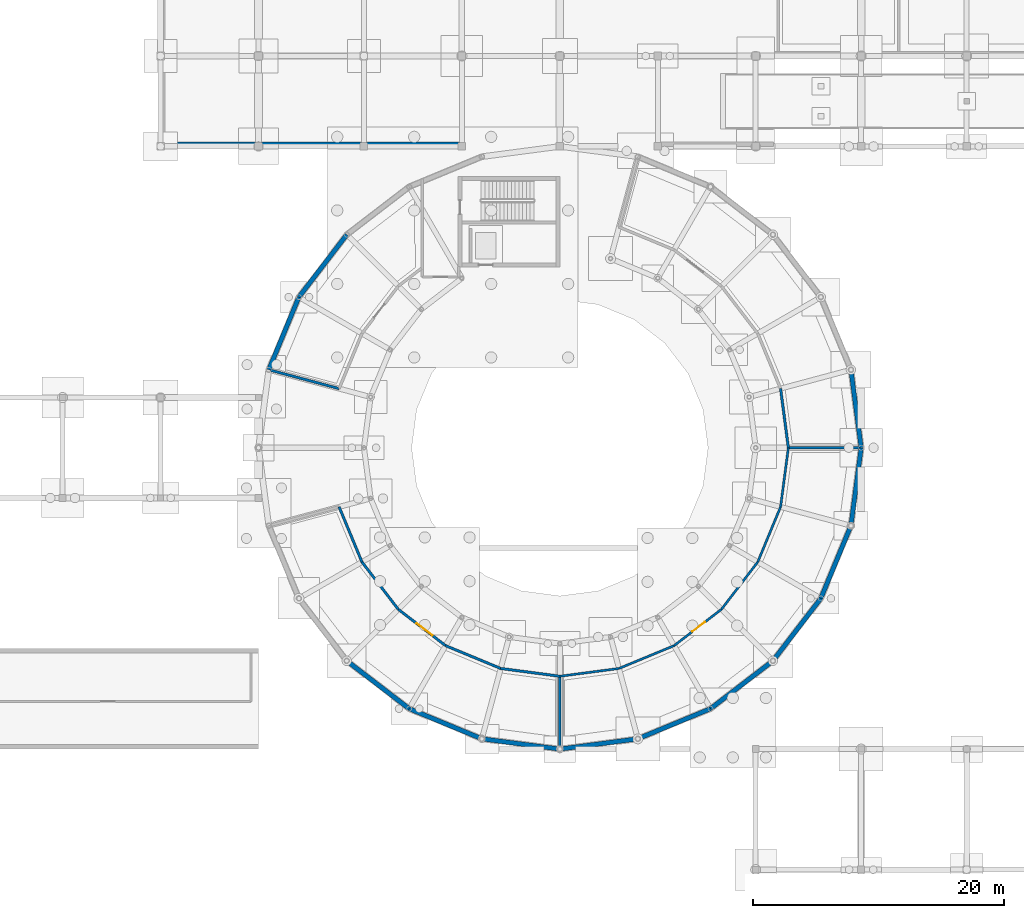
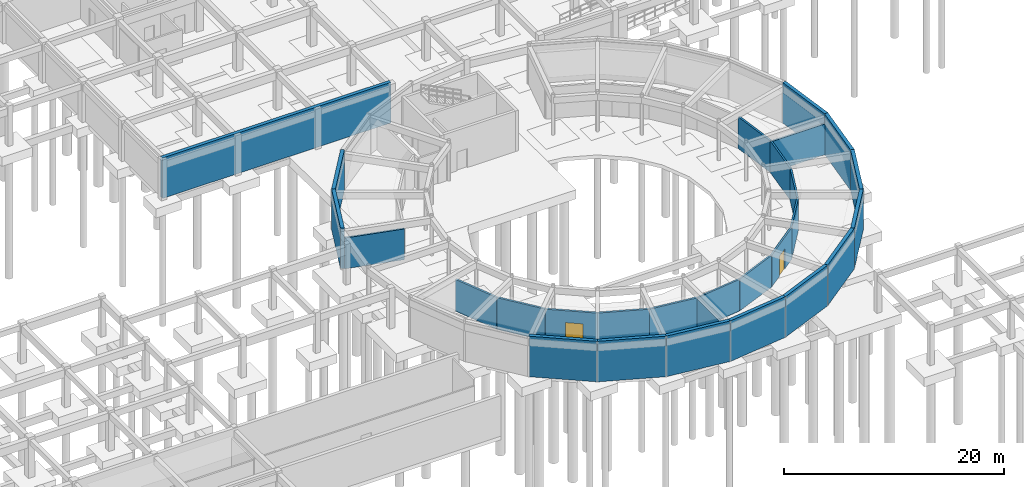
# One storey, part 30 of 43: 28 walls, 2 doors, 2 openings.
"""IFC4 building model written with IfcOpenShell, lengths in metres."""

from ifc_helpers import new_model, si_unit, derived_unit, direction, frame, frame_2d, origin, place, context, subcontext, project, spatial, rectangle, extrude, material, layer, layer_set, type_object, element, fill, save


model = new_model("IFC4")

# Units and contexts
model_context = context("Model", 3, precision=1e-05, world=origin(), true_north=direction((0.0, 1.0)))
body_context = subcontext(model_context, "Body", "Model", "MODEL_VIEW")
ifc_project = project(units=[si_unit("LENGTHUNIT", "METRE"), si_unit("AREAUNIT", "SQUARE_METRE"), si_unit("VOLUMEUNIT", "CUBIC_METRE"), si_unit("PLANEANGLEUNIT", "RADIAN"), si_unit("MASSUNIT", "GRAM", prefix="KILO"), derived_unit("THERMALTRANSMITTANCEUNIT", [(si_unit("POWERUNIT", "WATT"), 1), (si_unit("AREAUNIT", "SQUARE_METRE"), -1), (si_unit("THERMODYNAMICTEMPERATUREUNIT", "KELVIN"), -1)])], contexts=[model_context])

# Site, building, storey
site_placement = place(None, origin())
site = spatial("IfcSite", under=ifc_project, at=site_placement, CompositionType="ELEMENT")
building_placement = place(site_placement, origin())
building = spatial("IfcBuilding", under=site, at=building_placement, Name="Yasenodar Specialist Clinic", CompositionType="ELEMENT")
storey_placement = place(building_placement, frame((0.0, 0.0, -4.5)))
storey = spatial("IfcBuildingStorey", under=building, at=storey_placement, Name="B1", CompositionType="ELEMENT", Elevation=-4.5)

# Wall, opening, door
ifc_material_1 = material(Name="Hygienic Double-Stud Clinical Partition")
ifc_layer_1 = layer(ifc_material_1, 0.179931640625)
ifc_layer_set_1 = layer_set([ifc_layer_1], Name="Hygienic Double-Stud Clinical Partition")
wall_type_1 = type_object("IfcWallType", Name="IW-PROC-180", PredefinedType="PARTITIONING", material=ifc_layer_set_1)
wall_1_placement = place(storey_placement, frame((90.10009765625, 43.038330078125, 0.0), z_axis=(0.0, 0.0, 1.0), x_axis=(0.793347417989, 0.608769147025, 0.0)))
wall_1 = element("IfcWall", 1, at=wall_1_placement, inside=storey, type_object=wall_type_1, Name="B1 Bulk Pharmacy Cold Storage Partition", PredefinedType="PARTITIONING", context=body_context, shape_type="SweptSolid", body=[
    extrude(rectangle(XDim=4.751220703125, YDim=0.179931640625, at=frame_2d((2.37548828125, 0.0))), origin(), (0.0, 0.0, 1.0), 3.512939453125),
])
opening_1_placement = place(wall_1_placement, frame((1.82568359375, 0.0, 0.0)))
opening_1 = element("IfcOpeningElement", 2, at=opening_1_placement, cuts=wall_1, Name="Opening D-08", PredefinedType="OPENING", context=body_context, shape_type="SweptSolid", body=[
    extrude(rectangle(XDim=1.280029296875, YDim=2.219970703125, at=frame_2d((0.64013671875, 1.10986328125))), frame((0.0, 0.10009765625, 0.0), z_axis=(0.0, -1.0, 0.0), x_axis=(1.0, 0.0, 0.0)), (0.0, 0.0, 1.0), 0.199951171875),
])
ifc_material_2 = material(Name="Powder-Coated Steel and Acoustic Laminate Leaf", Category="steel")
door_type_1 = type_object("IfcDoorType", Name="DR-CLN-128", OperationType="NOTDEFINED", PredefinedType="DOOR", material=ifc_material_2)
door_1_placement = place(opening_1_placement, origin())
door_1 = element("IfcDoor", 3, at=door_1_placement, inside=storey, type_object=door_type_1, Name="B1 Bulk Pharmacy Cold Storage Door", OperationType="SINGLE_SWING_LEFT", OverallHeight=2.219970703125, OverallWidth=1.280029296875, PredefinedType="DOOR", context=body_context, shape_type="SweptSolid", body=[
    extrude(rectangle(XDim=1.280029296875, YDim=2.219970703125, at=frame_2d((0.64013671875, 1.10986328125))), frame((0.0, 0.02490234375, 0.0), z_axis=(0.0, -1.0, 0.0), x_axis=(1.0, 0.0, 0.0)), (0.0, 0.0, 1.0), 0.050048828125),
])
fill(opening_1, door_1)

# Walls
for number, where, z_axis, x_axis, name in (
    (4, (93.869384765625, 45.9306640625, 0.0), (0.0, 0.0, 1.0), (0.608769147025, 0.793347417989, 0.0), "B1 Bulk Pharmacy Cold Storage Partition"),
    (5, (85.71044921875, 41.22021484375, 0.0), (0.0, 0.0, 1.0), (0.923889703059, 0.382658877568, 0.0), "B1 Bulk Pharmacy Cold Storage Partition"),
    (6, (96.76171875, 49.699951171875, 0.0), (0.0, 0.0, 1.0), (0.382658877568, 0.923889703059, 0.0), "B1 Bulk Pharmacy Cold Storage Partition"),
):
    element("IfcWall", number, at=place(storey_placement, frame(where, z_axis=z_axis, x_axis=x_axis)), inside=storey, type_object=wall_type_1, Name=name, PredefinedType="PARTITIONING", context=body_context, shape_type="SweptSolid", body=[
        extrude(rectangle(XDim=4.751220703125, YDim=0.179931640625, at=frame_2d((2.37548828125, 0.0))), origin(), (0.0, 0.0, 1.0), 3.512939453125),
    ])
for number, where, z_axis, x_axis, name in (
    (7, (81.02001953125, 40.6025390625, 0.0), (0.0, 0.0, 1.0), (0.991440237985, 0.130561305543, 0.0), "B1 Bulk Pharmacy Cold Storage Partition"),
    (8, (98.579833984375, 54.089599609375, 0.0), (0.0, 0.0, 1.0), (0.130561305543, 0.991440237985, 0.0), "B1 Bulk Pharmacy Cold Storage Partition"),
):
    element("IfcWall", number, at=place(storey_placement, frame(where, z_axis=z_axis, x_axis=x_axis)), inside=storey, type_object=wall_type_1, Name=name, PredefinedType="PARTITIONING", context=body_context, shape_type="SweptSolid", body=[
        extrude(rectangle(XDim=4.73095703125, YDim=0.179931640625, at=frame_2d((2.365478515625, 0.0))), origin(), (0.0, 0.0, 1.0), 3.512939453125),
    ])
ifc_material_3 = material(Name="Aerated Concrete Blockwork Fire Shaft Wall", Category="masonry")
ifc_layer_2 = layer(ifc_material_3, 0.205078125)
ifc_layer_set_2 = layer_set([ifc_layer_2], Name="Aerated Concrete Blockwork Fire Shaft Wall")
wall_type_2 = type_object("IfcWallType", Name="IW-SHAFT-205", PredefinedType="PARTITIONING", material=ifc_layer_set_2)
wall_2_placement = place(storey_placement, frame((99.199951171875, 58.800048828125, 0.0), z_axis=(0.0, 0.0, 1.0), x_axis=(-0.130520975042, 0.991445548214, 0.0)))
element("IfcWall", 9, at=wall_2_placement, inside=storey, type_object=wall_type_2, Name="B1 Central Sterile Supply Decontamination Partition", PredefinedType="PARTITIONING", context=body_context, shape_type="SweptSolid", body=[
    extrude(rectangle(XDim=4.7509765625, YDim=0.205078125, at=frame_2d((2.37548828125, 0.0))), origin(), (0.0, 0.0, 1.0), 3.512939453125),
])
for number, where, z_axis, x_axis, name in (
    (10, (104.83837890625, 58.800048828125, 0.0), (0.0, 0.0, 1.0), (-1.0, 0.0, 0.0), "B1 Central Sterile Supply Decontamination Partition"),
    (11, (63.420166015625, 63.510498046875, 0.0), (0.0, 0.0, 1.0), (-0.965919445688, 0.258842856658, 0.0), "B1 Autoclave Sterilization Suite Partition"),
):
    element("IfcWall", number, at=place(storey_placement, frame(where, z_axis=z_axis, x_axis=x_axis)), inside=storey, type_object=wall_type_2, Name=name, PredefinedType="PARTITIONING", context=body_context, shape_type="SweptSolid", body=[
        extrude(rectangle(XDim=5.638427734375, YDim=0.205078125, at=frame_2d((2.8193359375, 0.0))), origin(), (0.0, 0.0, 1.0), 3.4130859375),
    ])

# Wall, opening, door
wall_3_placement = place(storey_placement, frame((68.130615234375, 45.9306640625, 0.0), z_axis=(0.0, 0.0, 1.0), x_axis=(0.793347417989, -0.608769147025, 0.0)))
wall_3 = element("IfcWall", 12, at=wall_3_placement, inside=storey, type_object=wall_type_2, Name="B1 Reverse Osmosis Dialysis Water Plant Partition", PredefinedType="PARTITIONING", context=body_context, shape_type="SweptSolid", body=[
    extrude(rectangle(XDim=4.751220703125, YDim=0.205078125, at=frame_2d((2.37548828125, 0.0))), origin(), (0.0, 0.0, 1.0), 3.512939453125),
])
opening_2_placement = place(wall_3_placement, frame((1.82568359375, 0.0, 0.0)))
opening_2 = element("IfcOpeningElement", 13, at=opening_2_placement, cuts=wall_3, Name="Opening FD-04", PredefinedType="OPENING", context=body_context, shape_type="SweptSolid", body=[
    extrude(rectangle(XDim=1.60009765625, YDim=2.199951171875, at=frame_2d((0.800048828125, 1.10009765625))), frame((0.0, 0.112548828125, 0.0), z_axis=(0.0, -1.0, 0.0), x_axis=(1.0, 0.0, 0.0)), (0.0, 0.0, 1.0), 0.22509765625),
])
ifc_material_4 = material(Name="Fire-Rated Insulated Steel Door", Category="steel")
door_type_2 = type_object("IfcDoorType", Name="DR-FD-160", OperationType="DOUBLE_DOOR_SINGLE_SWING", PredefinedType="DOOR", material=ifc_material_4)
door_2_placement = place(opening_2_placement, origin())
door_2 = element("IfcDoor", 14, at=door_2_placement, inside=storey, type_object=door_type_2, Name="B1 Reverse Osmosis Dialysis Water Plant Door", OperationType="DOUBLE_DOOR_SINGLE_SWING", OverallHeight=2.199951171875, OverallWidth=1.60009765625, PredefinedType="DOOR", context=body_context, shape_type="SweptSolid", body=[
    extrude(rectangle(XDim=1.60009765625, YDim=2.199951171875, at=frame_2d((0.800048828125, 1.10009765625))), frame((0.0, 0.02490234375, 0.0), z_axis=(0.0, -1.0, 0.0), x_axis=(1.0, 0.0, 0.0)), (0.0, 0.0, 1.0), 0.050048828125),
])
fill(opening_2, door_2)

# Walls
wall_4_placement = place(storey_placement, frame((65.23828125, 49.699951171875, 0.0), z_axis=(0.0, 0.0, 1.0), x_axis=(0.608769147025, -0.793347417989, 0.0)))
element("IfcWall", 15, at=wall_4_placement, inside=storey, type_object=wall_type_2, Name="B1 Reverse Osmosis Dialysis Water Plant Partition", PredefinedType="PARTITIONING", context=body_context, shape_type="SweptSolid", body=[
    extrude(rectangle(XDim=4.751220703125, YDim=0.205078125, at=frame_2d((2.37548828125, 0.0))), origin(), (0.0, 0.0, 1.0), 3.512939453125),
])
wall_5_placement = place(storey_placement, frame((76.28955078125, 41.22021484375, 0.0), z_axis=(0.0, 0.0, 1.0), x_axis=(0.991445548214, -0.130520975042, 0.0)))
element("IfcWall", 16, at=wall_5_placement, inside=storey, type_object=wall_type_2, Name="B1 Reverse Osmosis Dialysis Water Plant Partition", PredefinedType="PARTITIONING", context=body_context, shape_type="SweptSolid", body=[
    extrude(rectangle(XDim=4.7509765625, YDim=0.205078125, at=frame_2d((2.37548828125, 0.0))), origin(), (0.0, 0.0, 1.0), 3.512939453125),
])
for number, where, z_axis, x_axis, name in (
    (17, (63.420166015625, 54.089599609375, 0.0), (0.0, 0.0, 1.0), (0.382658877568, -0.923889703059, 0.0), "B1 Reverse Osmosis Dialysis Water Plant Partition"),
    (18, (71.89990234375, 43.038330078125, 0.0), (0.0, 0.0, 1.0), (0.923889703059, -0.382658877568, 0.0), "B1 Reverse Osmosis Dialysis Water Plant Partition"),
):
    element("IfcWall", number, at=place(storey_placement, frame(where, z_axis=z_axis, x_axis=x_axis)), inside=storey, type_object=wall_type_2, Name=name, PredefinedType="PARTITIONING", context=body_context, shape_type="SweptSolid", body=[
        extrude(rectangle(XDim=4.751220703125, YDim=0.205078125, at=frame_2d((2.37548828125, 0.0))), origin(), (0.0, 0.0, 1.0), 3.512939453125),
    ])
wall_6_placement = place(storey_placement, frame((81.0, 40.60009765625, 0.0), z_axis=(0.0, 0.0, 1.0), x_axis=(0.0, -1.0, 0.0)))
element("IfcWall", 19, at=wall_6_placement, inside=storey, type_object=wall_type_2, Name="B1 Reverse Osmosis Dialysis Water Plant Partition", PredefinedType="PARTITIONING", context=body_context, shape_type="SweptSolid", body=[
    extrude(rectangle(XDim=5.638427734375, YDim=0.205078125, at=frame_2d((2.8193359375, 0.0))), origin(), (0.0, 0.0, 1.0), 3.4130859375),
])
ifc_material_5 = material(Name="Concrete C35/45", Category="concrete")
ifc_layer_3 = layer(ifc_material_5, 0.360107421875)
ifc_layer_set_3 = layer_set([ifc_layer_3], Name="Concrete C35/45")
wall_type_3 = type_object("IfcWallType", Name="WL-RET-360", PredefinedType="USERDEFINED", material=ifc_layer_set_3)
wall_7_placement = place(storey_placement, frame((49.199951171875, 82.97998046875, 0.0), z_axis=(0.0, 0.0, 1.0), x_axis=(1.0, 0.0, 0.0)))
element("IfcWall", 20, at=wall_7_placement, inside=storey, type_object=wall_type_3, Name="B1 Retaining Wall 09", ObjectType="RETAININGWALL", PredefinedType="USERDEFINED", context=body_context, shape_type="SweptSolid", body=[
    extrude(rectangle(XDim=24.0, YDim=0.360107421875, at=frame_2d((12.0, 0.0))), origin(), (0.0, 0.0, 1.0), 4.5),
])
wall_8_placement = place(storey_placement, frame((105.0, 58.800048828125, 0.0), z_axis=(0.0, 0.0, 1.0), x_axis=(-0.130540192224, 0.991443018138, 0.0)))
element("IfcWall", 21, at=wall_8_placement, inside=storey, type_object=wall_type_3, Name="B1 Drum V1 Retaining Chord 01", ObjectType="RETAININGWALL", PredefinedType="USERDEFINED", context=body_context, shape_type="SweptSolid", body=[
    extrude(rectangle(XDim=6.265380859375, YDim=0.360107421875, at=frame_2d((3.1328125, 0.0))), origin(), (0.0, 0.0, 1.0), 4.5),
])
for number, where, z_axis, x_axis, name in (
    (22, (64.029296875, 75.7705078125, 0.0), (0.0, 0.0, 1.0), (-0.608761180103, -0.793353531283, 0.0), "B1 Drum V1 Retaining Chord 10"),
    (23, (60.21533203125, 70.800048828125, 0.0), (0.0, 0.0, 1.0), (-0.382663829839, -0.9238876519, 0.0), "B1 Drum V1 Retaining Chord 11"),
):
    element("IfcWall", number, at=place(storey_placement, frame(where, z_axis=z_axis, x_axis=x_axis)), inside=storey, type_object=wall_type_3, Name=name, ObjectType="RETAININGWALL", PredefinedType="USERDEFINED", context=body_context, shape_type="SweptSolid", body=[
        extrude(rectangle(XDim=6.26513671875, YDim=0.360107421875, at=frame_2d((3.132568359375, 0.0))), origin(), (0.0, 0.0, 1.0), 4.5),
    ])
wall_9_placement = place(storey_placement, frame((64.029296875, 41.829345703125, 0.0), z_axis=(0.0, 0.0, 1.0), x_axis=(0.793367971845, -0.608742360322, 0.0)))
element("IfcWall", 24, at=wall_9_placement, inside=storey, type_object=wall_type_3, Name="B1 Drum V1 Retaining Chord 16", ObjectType="RETAININGWALL", PredefinedType="USERDEFINED", context=body_context, shape_type="SweptSolid", body=[
    extrude(rectangle(XDim=6.265380859375, YDim=0.360107421875, at=frame_2d((3.1328125, 0.0))), origin(), (0.0, 0.0, 1.0), 4.5),
])
wall_10_placement = place(storey_placement, frame((69.0, 38.015380859375, 0.0), z_axis=(0.0, 0.0, 1.0), x_axis=(0.9238876519, -0.382663829839, 0.0)))
element("IfcWall", 25, at=wall_10_placement, inside=storey, type_object=wall_type_3, Name="B1 Drum V1 Retaining Chord 17", ObjectType="RETAININGWALL", PredefinedType="USERDEFINED", context=body_context, shape_type="SweptSolid", body=[
    extrude(rectangle(XDim=6.26513671875, YDim=0.360107421875, at=frame_2d((3.132568359375, 0.0))), origin(), (0.0, 0.0, 1.0), 4.5),
])
for number, where, z_axis, x_axis, name in (
    (26, (74.788330078125, 35.617919921875, 0.0), (0.0, 0.0, 1.0), (0.991443018138, -0.130540192224, 0.0), "B1 Drum V1 Retaining Chord 18"),
    (27, (81.0, 34.800048828125, 0.0), (0.0, 0.0, 1.0), (0.991443018138, 0.130540192224, 0.0), "B1 Drum V1 Retaining Chord 19"),
):
    element("IfcWall", number, at=place(storey_placement, frame(where, z_axis=z_axis, x_axis=x_axis)), inside=storey, type_object=wall_type_3, Name=name, ObjectType="RETAININGWALL", PredefinedType="USERDEFINED", context=body_context, shape_type="SweptSolid", body=[
        extrude(rectangle(XDim=6.265380859375, YDim=0.360107421875, at=frame_2d((3.1328125, 0.0))), origin(), (0.0, 0.0, 1.0), 4.5),
    ])
wall_11_placement = place(storey_placement, frame((87.211669921875, 35.617919921875, 0.0), z_axis=(0.0, 0.0, 1.0), x_axis=(0.9238876519, 0.382663829839, 0.0)))
element("IfcWall", 28, at=wall_11_placement, inside=storey, type_object=wall_type_3, Name="B1 Drum V1 Retaining Chord 20", ObjectType="RETAININGWALL", PredefinedType="USERDEFINED", context=body_context, shape_type="SweptSolid", body=[
    extrude(rectangle(XDim=6.26513671875, YDim=0.360107421875, at=frame_2d((3.132568359375, 0.0))), origin(), (0.0, 0.0, 1.0), 4.5),
])
for number, where, z_axis, x_axis, name in (
    (29, (93.0, 38.015380859375, 0.0), (0.0, 0.0, 1.0), (0.793367971845, 0.608742360322, 0.0), "B1 Drum V1 Retaining Chord 21"),
    (30, (97.970703125, 41.829345703125, 0.0), (0.0, 0.0, 1.0), (0.608742360322, 0.793367971845, 0.0), "B1 Drum V1 Retaining Chord 22"),
):
    element("IfcWall", number, at=place(storey_placement, frame(where, z_axis=z_axis, x_axis=x_axis)), inside=storey, type_object=wall_type_3, Name=name, ObjectType="RETAININGWALL", PredefinedType="USERDEFINED", context=body_context, shape_type="SweptSolid", body=[
        extrude(rectangle(XDim=6.265380859375, YDim=0.360107421875, at=frame_2d((3.1328125, 0.0))), origin(), (0.0, 0.0, 1.0), 4.5),
    ])
wall_12_placement = place(storey_placement, frame((101.78466796875, 46.800048828125, 0.0), z_axis=(0.0, 0.0, 1.0), x_axis=(0.382663829839, 0.9238876519, 0.0)))
element("IfcWall", 31, at=wall_12_placement, inside=storey, type_object=wall_type_3, Name="B1 Drum V1 Retaining Chord 23", ObjectType="RETAININGWALL", PredefinedType="USERDEFINED", context=body_context, shape_type="SweptSolid", body=[
    extrude(rectangle(XDim=6.26513671875, YDim=0.360107421875, at=frame_2d((3.132568359375, 0.0))), origin(), (0.0, 0.0, 1.0), 4.5),
])
wall_13_placement = place(storey_placement, frame((104.18212890625, 52.58837890625, 0.0), z_axis=(0.0, 0.0, 1.0), x_axis=(0.130540192224, 0.991443018138, 0.0)))
element("IfcWall", 32, at=wall_13_placement, inside=storey, type_object=wall_type_3, Name="B1 Drum V1 Retaining Chord 24", ObjectType="RETAININGWALL", PredefinedType="USERDEFINED", context=body_context, shape_type="SweptSolid", body=[
    extrude(rectangle(XDim=6.265380859375, YDim=0.360107421875, at=frame_2d((3.1328125, 0.0))), origin(), (0.0, 0.0, 1.0), 4.5),
])

save(model, "model.ifc")
